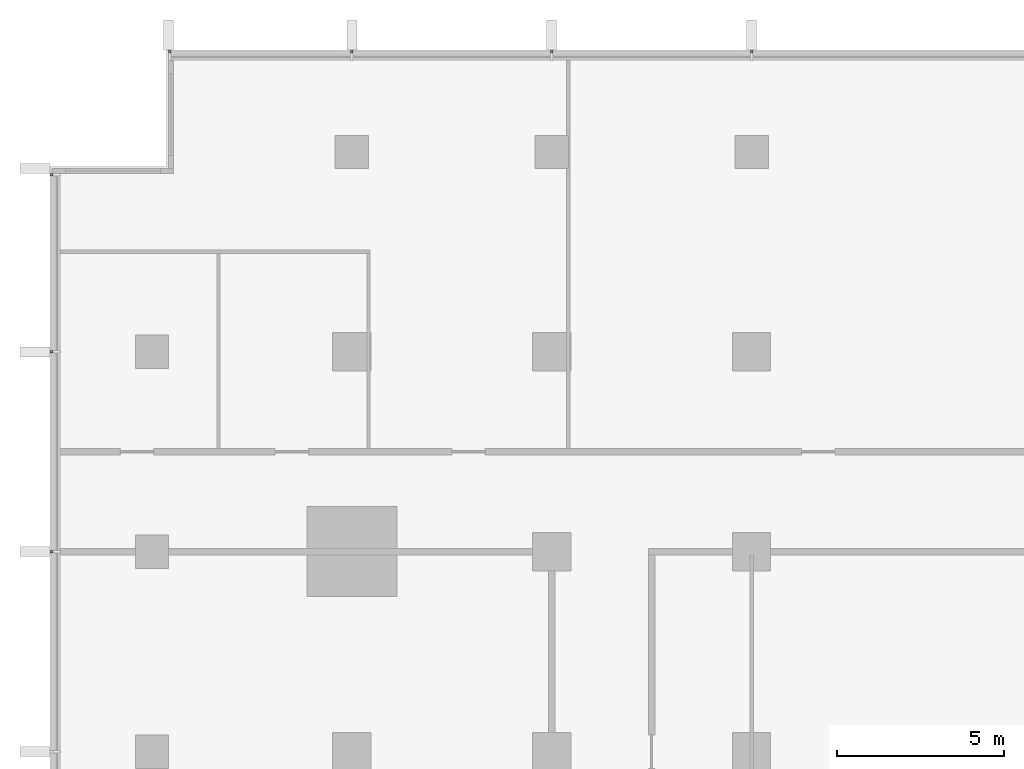
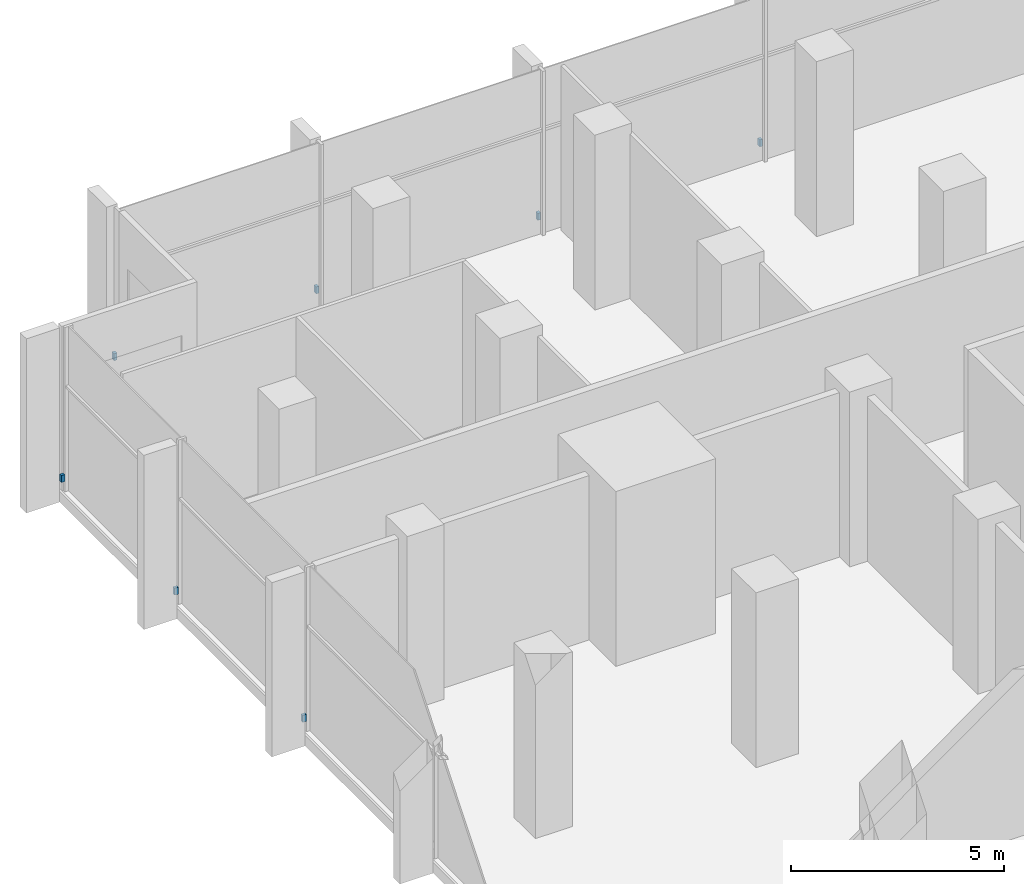
# One storey, part 12 of 14: 7 discrete accessories.
"""IFC4 building model written with IfcOpenShell, lengths in metres."""

import ifcopenshell
import ifcopenshell.guid

model = None  # the IFC model being written
_history = None  # IfcOwnerHistory: only IFC2X3 demands one
_inside = {}  # id of a spatial element -> (the spatial element, [elements in it])
_under = {}  # id of a project, library or spatial element -> (it, [spatial elements below it])
_declared = {}  # id of a project -> (the project, [libraries it declares])
_typed = {}  # id of a type object -> (the type object, [elements of that type])
_made_of = {}  # id of a material, layer set ... -> (it, [elements and type objects made of it])


def new_model(schema):
    """Start an empty IFC model of exactly this schema.

    Asked for "IFC4X3", IfcOpenShell would pick the latest addendum, in which some entities
    have other attributes; the version numbers below select the first issue.
    IFC2X3 requires an IfcOwnerHistory on every rooted entity: one is made here for all.
    """
    global model, _history
    if schema == "IFC4X3":
        model = ifcopenshell.file(schema_version=(4, 3, 0, 0))
    else:
        model = ifcopenshell.file(schema=schema)
    _inside.clear()
    _under.clear()
    _declared.clear()
    _typed.clear()
    _made_of.clear()
    _history = None
    if model.schema == "IFC2X3":
        org = make("IfcOrganization", Name="unknown")
        user = make(
            "IfcPersonAndOrganization",
            ThePerson=make("IfcPerson", FamilyName="unknown"),
            TheOrganization=org,
        )
        app = make(
            "IfcApplication",
            ApplicationDeveloper=org,
            Version="unknown",
            ApplicationFullName="unknown",
            ApplicationIdentifier="unknown",
        )
        _history = make(
            "IfcOwnerHistory",
            OwningUser=user,
            OwningApplication=app,
            ChangeAction="ADDED",
            CreationDate=0,
        )
    return model


def make(cls, **values):
    """One entity of the class cls with the attributes given. An attribute that is None is left unset."""
    return model.create_entity(
        cls, **{name: value for name, value in values.items() if value is not None}
    )


def rooted(cls, **values):
    """An entity with a GlobalId (a new one), such as an element, a storey or a relation."""
    return make(cls, GlobalId=ifcopenshell.guid.new(), OwnerHistory=_history, **values)


def si_unit(unit_type, name, prefix=None):
    """IfcSIUnit, for example si_unit("LENGTHUNIT", "METRE", prefix="MILLI")."""
    return make("IfcSIUnit", UnitType=unit_type, Prefix=prefix, Name=name)


def assignment(units):
    """IfcUnitAssignment: the units of a project."""
    return None if units is None else make("IfcUnitAssignment", Units=units)


def point(xyz):
    """IfcCartesianPoint."""
    return None if xyz is None else make("IfcCartesianPoint", Coordinates=xyz)


def direction(xyz):
    """IfcDirection."""
    return None if xyz is None else make("IfcDirection", DirectionRatios=xyz)


def frame(location, z_axis=None, x_axis=None):
    """IfcAxis2Placement3D, a coordinate frame: its origin and axes. An axis left out is left unset."""
    return make(
        "IfcAxis2Placement3D",
        Location=point(location),
        Axis=direction(z_axis),
        RefDirection=direction(x_axis),
    )


def frame_2d(location, x_axis=None):
    """IfcAxis2Placement2D, a coordinate frame in the plane: its origin and x axis."""
    return make(
        "IfcAxis2Placement2D", Location=point(location), RefDirection=direction(x_axis)
    )


def origin():
    """The frame at (0, 0, 0) with its axes left unset."""
    return frame((0.0, 0.0, 0.0))


def origin_2d():
    """The frame at (0, 0) in the plane with its x axis left unset."""
    return frame_2d((0.0, 0.0))


def place(relative_to, where):
    """IfcLocalPlacement: puts the frame where relative to a parent placement (None: the world)."""
    return make(
        "IfcLocalPlacement", PlacementRelTo=relative_to, RelativePlacement=where
    )


def context(
    kind, dimensions, precision=None, world=None, true_north=None, identifier=None
):
    """IfcGeometricRepresentationContext, for example the 3D "Model" context."""
    return make(
        "IfcGeometricRepresentationContext",
        ContextIdentifier=identifier,
        ContextType=kind,
        CoordinateSpaceDimension=dimensions,
        Precision=precision,
        WorldCoordinateSystem=world,
        TrueNorth=true_north,
    )


def subcontext(parent, identifier, kind, view, scale=None):
    """IfcGeometricRepresentationSubContext, for example "Body" below "Model"."""
    return make(
        "IfcGeometricRepresentationSubContext",
        ContextIdentifier=identifier,
        ContextType=kind,
        ParentContext=parent,
        TargetScale=scale,
        TargetView=view,
    )


def project(units=None, contexts=None):
    """IfcProject with its units and contexts."""
    return rooted(
        "IfcProject",
        Name="project",
        RepresentationContexts=contexts,
        UnitsInContext=assignment(units),
    )


def spatial(cls, under=None, at=None, **own):
    """A site, building, storey or space (cls), placed at a placement, below another one or the project."""
    s = rooted(cls, ObjectPlacement=at, **own)
    if under is not None:
        _under.setdefault(under.id(), (under, []))[1].append(s)
    return s


def profile(cls, at=None, kind="AREA", **sizes):
    """A parametric profile (cls). Its sizes go by their IFC names, for example OverallWidth=200.0."""
    return make(cls, ProfileType=kind, Position=at, **sizes)


def rectangle(**sizes):
    """IfcRectangleProfileDef."""
    return profile("IfcRectangleProfileDef", **sizes)


def extrude(swept, where, along, depth):
    """IfcExtrudedAreaSolid: the profile swept, set in the frame where, extruded along a direction by depth."""
    return make(
        "IfcExtrudedAreaSolid",
        SweptArea=swept,
        Position=where,
        ExtrudedDirection=direction(along),
        Depth=depth,
    )


def shape(context_of_items, identifier, shape_type, items):
    """IfcShapeRepresentation: the items that make up one representation, for example the "Body"."""
    return make(
        "IfcShapeRepresentation",
        ContextOfItems=context_of_items,
        RepresentationIdentifier=identifier,
        RepresentationType=shape_type,
        Items=items,
    )


def material(Name=None, Category=None):
    """IfcMaterial."""
    return make("IfcMaterial", Name=Name, Category=Category)


def made_of(thing, what):
    """Note that an element or type object is made of a material, layer set ...; save() writes the relation."""
    if what is not None:
        _made_of.setdefault(what.id(), (what, []))[1].append(thing)
    return thing


def type_object(cls, material=None, **own):
    """A type object (cls), such as IfcWallType, which elements share."""
    return made_of(rooted(cls, **own), material)


def element(
    cls,
    number,
    at=None,
    inside=None,
    cuts=None,
    type_object=None,
    material=None,
    context=None,
    identifier="Body",
    shape_type=None,
    held_by="IfcProductDefinitionShape",
    body=None,
    shapes=None,
    **own,
):
    """One element of the class cls, such as IfcWall. Its Tag is "e" and its number.

    at: its placement. inside: the storey or other place that contains it. cuts: it is an
    opening in that element (IfcRelVoidsElement). A single representation is given by context,
    identifier, shape_type and body (its items); several are given by shapes. held_by: the class
    of the entity that holds the representations. save() writes the other relations.
    """
    e = rooted(cls, Tag="e%d" % number, ObjectPlacement=at, **own)
    if body is not None:
        shapes = [shape(context, identifier, shape_type, body)]
    if shapes is not None:
        e.Representation = make(held_by, Representations=shapes)
    if inside is not None:
        _inside.setdefault(inside.id(), (inside, []))[1].append(e)
    if cuts is not None:
        rooted(
            "IfcRelVoidsElement", RelatingBuildingElement=cuts, RelatedOpeningElement=e
        )
    if type_object is not None:
        _typed.setdefault(type_object.id(), (type_object, []))[1].append(e)
    return made_of(e, material)


def aggregate(whole, parts):
    """IfcRelAggregates: a whole, such as a stair, and the parts it consists of."""
    return rooted("IfcRelAggregates", RelatingObject=whole, RelatedObjects=parts)


def save(model, path):
    """Write the relations noted so far, then the file.

    IfcRelAggregates (storeys below a building ...), IfcRelContainedInSpatialStructure (elements
    in a storey), IfcRelDefinesByType, IfcRelAssociatesMaterial and IfcRelDeclares: one each for
    every whole, place, type object, material and project.
    """
    for whole, parts in _under.values():
        aggregate(whole, parts)
    for where, things in _inside.values():
        rooted(
            "IfcRelContainedInSpatialStructure",
            RelatedElements=things,
            RelatingStructure=where,
        )
    for kind, things in _typed.values():
        rooted("IfcRelDefinesByType", RelatedObjects=things, RelatingType=kind)
    for what, things in _made_of.values():
        rooted("IfcRelAssociatesMaterial", RelatedObjects=things, RelatingMaterial=what)
    for by, libraries in _declared.values():
        rooted("IfcRelDeclares", RelatingContext=by, RelatedDefinitions=libraries)
    model.write(path)


model = new_model("IFC4")

# Units and contexts
model_context = context("Model", 3, precision=1e-05, world=origin(), true_north=direction((0.0, 1.0)))
body_context = subcontext(model_context, "Body", "Model", "MODEL_VIEW")
ifc_project = project(units=[si_unit("LENGTHUNIT", "METRE"), si_unit("AREAUNIT", "SQUARE_METRE"), si_unit("VOLUMEUNIT", "CUBIC_METRE"), si_unit("PLANEANGLEUNIT", "RADIAN"), si_unit("MASSUNIT", "GRAM", prefix="KILO")], contexts=[model_context])

# Site, building, storey
site_placement = place(None, origin())
site = spatial("IfcSite", under=ifc_project, at=site_placement, CompositionType="ELEMENT")
building_placement = place(site_placement, origin())
building = spatial("IfcBuilding", under=site, at=building_placement, Name="Finial Court Residences", CompositionType="ELEMENT")
storey_placement = place(building_placement, frame((0.0, 0.0, 133.89990234375)))
storey = spatial("IfcBuildingStorey", under=building, at=storey_placement, Name="L33", CompositionType="ELEMENT", Elevation=133.89990234375)

# Discrete accessories
ifc_material = material(Name="Stainless steel 316", Category="steel")
discrete_accessory_type = type_object("IfcDiscreteAccessoryType", Name="Fin bracket, stainless steel 75 x 98 x 200", PredefinedType="BRACKET", material=ifc_material)
for number, where, z_axis, x_axis, name in (
    (1, (-21.96240234375, 22.51123046875, 0.30029296875), (0.0, 0.0, 1.0), (1.0, 0.0, 0.0), "E-L33-FIN-N1-BRK"),
    (2, (-16.5, 22.51123046875, 0.30029296875), (0.0, 0.0, 1.0), (1.0, 0.0, 0.0), "E-L33-FIN-N2-BRK"),
    (3, (-10.5, 22.51123046875, 0.30029296875), (0.0, 0.0, 1.0), (1.0, 0.0, 0.0), "E-L33-FIN-N3-BRK"),
    (4, (-4.5, 22.51123046875, 0.30029296875), (0.0, 0.0, 1.0), (1.0, 0.0, 0.0), "E-L33-FIN-N4-BRK"),
):
    element("IfcDiscreteAccessory", number, at=place(storey_placement, frame(where, z_axis=z_axis, x_axis=x_axis)), inside=storey, type_object=discrete_accessory_type, Name=name, PredefinedType="BRACKET", context=body_context, shape_type="SweptSolid", body=[
        extrude(rectangle(XDim=0.074951171875, YDim=0.097412109375, at=origin_2d()), origin(), (0.0, 0.0, 1.0), 0.199951171875),
    ])
for number, where, z_axis, x_axis, name in (
    (5, (-25.51123046875, 7.5, 0.30029296875), (0.0, 0.0, 1.0), (1.0, 0.0, 0.0), "E-L33-FIN-W30-BRK"),
    (6, (-25.51123046875, 13.5, 0.30029296875), (0.0, 0.0, 1.0), (1.0, 0.0, 0.0), "E-L33-FIN-W31-BRK"),
    (7, (-25.51123046875, 18.8125, 0.30029296875), (0.0, 0.0, 1.0), (1.0, 0.0, 0.0), "E-L33-FIN-W32-BRK"),
):
    element("IfcDiscreteAccessory", number, at=place(storey_placement, frame(where, z_axis=z_axis, x_axis=x_axis)), inside=storey, type_object=discrete_accessory_type, Name=name, PredefinedType="BRACKET", context=body_context, shape_type="SweptSolid", body=[
        extrude(rectangle(XDim=0.097412109375, YDim=0.074951171875, at=origin_2d()), origin(), (0.0, 0.0, 1.0), 0.199951171875),
    ])

save(model, "model.ifc")
